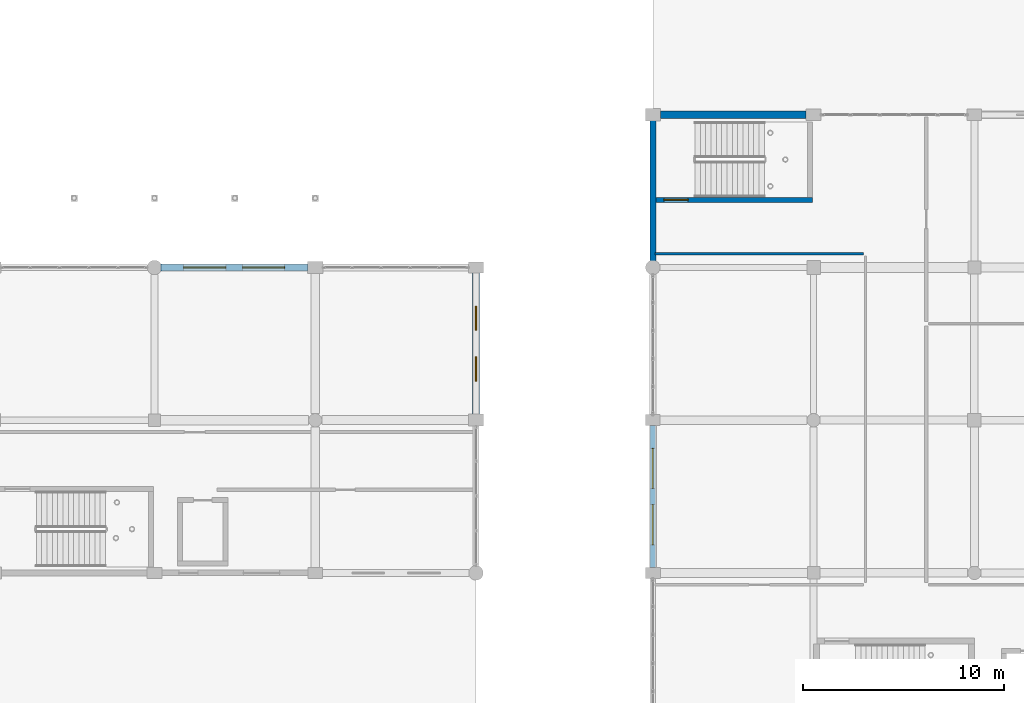
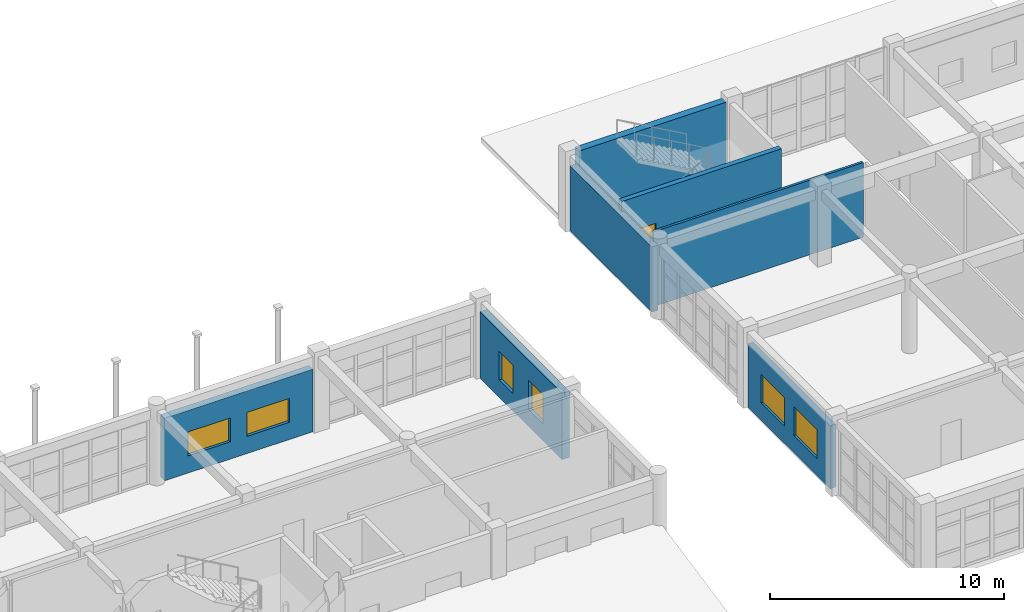
# One storey, part 168 of 195: 7 walls, 6 windows, 1 door, 7 openings.
"""IFC4 building model written with IfcOpenShell, lengths in metres."""

from ifc_helpers import new_model, si_unit, direction, frame, frame_2d, origin, place, context, subcontext, project, spatial, rectangle, extrude, material, layer, layer_set, type_object, element, fill, save


model = new_model("IFC4")

# Units and contexts
model_context = context("Model", 3, precision=1e-05, world=origin(), true_north=direction((0.0, 1.0)))
body_context = subcontext(model_context, "Body", "Model", "MODEL_VIEW")
ifc_project = project(units=[si_unit("LENGTHUNIT", "METRE"), si_unit("AREAUNIT", "SQUARE_METRE"), si_unit("VOLUMEUNIT", "CUBIC_METRE"), si_unit("PLANEANGLEUNIT", "RADIAN"), si_unit("MASSUNIT", "GRAM", prefix="KILO")], contexts=[model_context])

# Site, building, storey
site_placement = place(None, origin())
site = spatial("IfcSite", under=ifc_project, at=site_placement, CompositionType="ELEMENT")
building_placement = place(site_placement, origin())
building = spatial("IfcBuilding", under=site, at=building_placement, Name="Kharva Crest Polytechnic", CompositionType="ELEMENT")
storey_placement = place(building_placement, frame((0.0, 0.0, 9.0)))
storey = spatial("IfcBuildingStorey", under=building, at=storey_placement, Name="L02", CompositionType="ELEMENT", Elevation=9.0)

# Wall, openings, windows
ifc_material_1 = material(Name="Kiln brick masonry", Category="masonry")
ifc_layer_1 = layer(ifc_material_1, 0.27490234375, Name="Kiln brick masonry")
ifc_layer_set_1 = layer_set([ifc_layer_1], Name="Kiln brick masonry")
wall_type_1 = type_object("IfcWallType", Name="WL-EXT-BRK-275", PredefinedType="SOLIDWALL", material=ifc_layer_set_1)
wall_1_placement = place(storey_placement, frame((120.800048828125, 14.929931640625, 0.0), z_axis=(0.0, 0.0, 1.0), x_axis=(0.0, -1.0, 0.0)))
wall_1 = element("IfcWall", 1, at=wall_1_placement, inside=storey, type_object=wall_type_1, Name="L02 Exterior Brick Wall 240", PredefinedType="SOLIDWALL", context=body_context, shape_type="SweptSolid", body=[
    extrude(rectangle(XDim=7.059814453125, YDim=0.27490234375, at=frame_2d((3.52978515625, 0.0))), origin(), (0.0, 0.0, 1.0), 3.300048828125),
])
opening_1_placement = place(wall_1_placement, frame((1.126953125, 0.0, 0.89990234375)))
opening_1 = element("IfcOpeningElement", 2, at=opening_1_placement, cuts=wall_1, Name="Opening W12", PredefinedType="OPENING", context=body_context, shape_type="SweptSolid", body=[
    extrude(rectangle(XDim=2.0, YDim=1.5, at=frame_2d((1.0, 0.75))), frame((0.0, 0.1474609375, 0.0), z_axis=(0.0, -1.0, 0.0), x_axis=(1.0, 0.0, 0.0)), (0.0, 0.0, 1.0), 0.294921875),
])
opening_2_placement = place(wall_1_placement, frame((3.93310546875, 0.0, 0.89990234375)))
opening_2 = element("IfcOpeningElement", 3, at=opening_2_placement, cuts=wall_1, Name="Opening W12", PredefinedType="OPENING", context=body_context, shape_type="SweptSolid", body=[
    extrude(rectangle(XDim=2.0, YDim=1.5, at=frame_2d((1.0, 0.75))), frame((0.0, 0.1474609375, 0.0), z_axis=(0.0, -1.0, 0.0), x_axis=(1.0, 0.0, 0.0)), (0.0, 0.0, 1.0), 0.294921875),
])
ifc_material_2 = material(Name="Anodised aluminium", Category="aluminium")
window_type_1 = type_object("IfcWindowType", Name="WIN-ALU-2000X1500", PartitioningType="SINGLE_PANEL", PredefinedType="WINDOW", material=ifc_material_2)
window_1_placement = place(opening_1_placement, origin())
window_1 = element("IfcWindow", 4, at=window_1_placement, inside=storey, type_object=window_type_1, Name="L02 Exterior Window 321", OverallHeight=1.5, OverallWidth=2.0, PartitioningType="SINGLE_PANEL", PredefinedType="WINDOW", context=body_context, shape_type="SweptSolid", body=[
    extrude(rectangle(XDim=2.0, YDim=1.5, at=frame_2d((1.0, 0.75))), frame((0.0, 0.030029296875, 0.0), z_axis=(0.0, -1.0, 0.0), x_axis=(1.0, 0.0, 0.0)), (0.0, 0.0, 1.0), 0.06005859375),
])
fill(opening_1, window_1)
window_2_placement = place(opening_2_placement, origin())
window_2 = element("IfcWindow", 5, at=window_2_placement, inside=storey, type_object=window_type_1, Name="L02 Exterior Window 322", OverallHeight=1.5, OverallWidth=2.0, PartitioningType="SINGLE_PANEL", PredefinedType="WINDOW", context=body_context, shape_type="SweptSolid", body=[
    extrude(rectangle(XDim=2.0, YDim=1.5, at=frame_2d((1.0, 0.75))), frame((0.0, 0.030029296875, 0.0), z_axis=(0.0, -1.0, 0.0), x_axis=(1.0, 0.0, 0.0)), (0.0, 0.0, 1.0), 0.06005859375),
])
fill(opening_2, window_2)

# Wall
ifc_layer_2 = layer(ifc_material_1, 0.304931640625, Name="Kiln brick masonry")
ifc_layer_set_2 = layer_set([ifc_layer_2], Name="Kiln brick masonry")
wall_type_2 = type_object("IfcWallType", Name="WL-EXT-BRK-305", PredefinedType="SOLIDWALL", material=ifc_layer_set_2)
wall_2_placement = place(storey_placement, frame((120.800048828125, 30.10498046875, 0.0), z_axis=(0.0, 0.0, 1.0), x_axis=(0.0, -1.0, 0.0)))
element("IfcWall", 6, at=wall_2_placement, inside=storey, type_object=wall_type_2, Name="L02 Exterior Brick Wall 239", PredefinedType="SOLIDWALL", context=body_context, shape_type="SweptSolid", body=[
    extrude(rectangle(XDim=7.002685546875, YDim=0.304931640625, at=frame_2d((3.50146484375, 0.0))), origin(), (0.0, 0.0, 1.0), 3.39990234375),
])

# Wall, openings, windows
ifc_layer_3 = layer(ifc_material_1, 0.3349609375, Name="Kiln brick masonry")
ifc_layer_set_3 = layer_set([ifc_layer_3], Name="Kiln brick masonry")
wall_type_3 = type_object("IfcWallType", Name="WL-EXT-BRK-335", PredefinedType="SOLIDWALL", material=ifc_layer_set_3)
wall_3_placement = place(storey_placement, frame((103.6298828125, 22.800048828125, 0.0), z_axis=(0.0, 0.0, 1.0), x_axis=(-1.0, 0.0, 0.0)))
wall_3 = element("IfcWall", 7, at=wall_3_placement, inside=storey, type_object=wall_type_3, Name="L02 Exterior Brick Wall 229", PredefinedType="SOLIDWALL", context=body_context, shape_type="SweptSolid", body=[
    extrude(rectangle(XDim=7.327392578125, YDim=0.3349609375, at=frame_2d((3.66357421875, 0.0))), origin(), (0.0, 0.0, 1.0), 3.27001953125),
])
opening_3_placement = place(wall_3_placement, frame((1.14892578125, 0.0, 0.89990234375)))
opening_3 = element("IfcOpeningElement", 8, at=opening_3_placement, cuts=wall_3, Name="Opening W18", PredefinedType="OPENING", context=body_context, shape_type="SweptSolid", body=[
    extrude(rectangle(XDim=2.10009765625, YDim=1.25, at=frame_2d((1.050048828125, 0.625))), frame((0.0, 0.177490234375, 0.0), z_axis=(0.0, -1.0, 0.0), x_axis=(1.0, 0.0, 0.0)), (0.0, 0.0, 1.0), 0.35498046875),
])
opening_4_placement = place(wall_3_placement, frame((4.077880859375, 0.0, 0.89990234375)))
opening_4 = element("IfcOpeningElement", 9, at=opening_4_placement, cuts=wall_3, Name="Opening W18", PredefinedType="OPENING", context=body_context, shape_type="SweptSolid", body=[
    extrude(rectangle(XDim=2.10009765625, YDim=1.25, at=frame_2d((1.050048828125, 0.625))), frame((0.0, 0.177490234375, 0.0), z_axis=(0.0, -1.0, 0.0), x_axis=(1.0, 0.0, 0.0)), (0.0, 0.0, 1.0), 0.35498046875),
])
window_type_2 = type_object("IfcWindowType", Name="WIN-ALU-2100X1250", PartitioningType="SINGLE_PANEL", PredefinedType="WINDOW", material=ifc_material_2)
window_3_placement = place(opening_3_placement, origin())
window_3 = element("IfcWindow", 10, at=window_3_placement, inside=storey, type_object=window_type_2, Name="L02 Exterior Window 303", OverallHeight=1.25, OverallWidth=2.10009765625, PartitioningType="SINGLE_PANEL", PredefinedType="WINDOW", context=body_context, shape_type="SweptSolid", body=[
    extrude(rectangle(XDim=2.10009765625, YDim=1.25, at=frame_2d((1.050048828125, 0.625))), frame((0.0, 0.030029296875, 0.0), z_axis=(0.0, -1.0, 0.0), x_axis=(1.0, 0.0, 0.0)), (0.0, 0.0, 1.0), 0.06005859375),
])
fill(opening_3, window_3)
window_4_placement = place(opening_4_placement, origin())
window_4 = element("IfcWindow", 11, at=window_4_placement, inside=storey, type_object=window_type_2, Name="L02 Exterior Window 304", OverallHeight=1.25, OverallWidth=2.10009765625, PartitioningType="SINGLE_PANEL", PredefinedType="WINDOW", context=body_context, shape_type="SweptSolid", body=[
    extrude(rectangle(XDim=2.10009765625, YDim=1.25, at=frame_2d((1.050048828125, 0.625))), frame((0.0, 0.030029296875, 0.0), z_axis=(0.0, -1.0, 0.0), x_axis=(1.0, 0.0, 0.0)), (0.0, 0.0, 1.0), 0.06005859375),
])
fill(opening_4, window_4)

# Wall
ifc_layer_4 = layer(ifc_material_1, 0.35009765625, Name="Kiln brick masonry")
ifc_layer_set_4 = layer_set([ifc_layer_4], Name="Kiln brick masonry")
wall_type_4 = type_object("IfcWallType", Name="WL-EXT-BRK-350", PredefinedType="SOLIDWALL", material=ifc_layer_set_4)
wall_4_placement = place(storey_placement, frame((128.429931640625, 30.39990234375, 0.0), z_axis=(0.0, 0.0, 1.0), x_axis=(-1.0, 0.0, 0.0)))
element("IfcWall", 12, at=wall_4_placement, inside=storey, type_object=wall_type_4, Name="L02 Exterior Brick Wall 248", PredefinedType="SOLIDWALL", context=body_context, shape_type="SweptSolid", body=[
    extrude(rectangle(XDim=7.260009765625, YDim=0.35009765625, at=frame_2d((3.6298828125, 0.0))), origin(), (0.0, 0.0, 1.0), 3.919921875),
])

# Wall, openings, windows
ifc_layer_5 = layer(ifc_material_1, 0.364990234375, Name="Kiln brick masonry")
ifc_layer_set_5 = layer_set([ifc_layer_5], Name="Kiln brick masonry")
wall_type_5 = type_object("IfcWallType", Name="WL-EXT-BRK-365", PredefinedType="SOLIDWALL", material=ifc_layer_set_5)
wall_5_placement = place(storey_placement, frame((112.0, 15.4951171875, 0.0), z_axis=(0.0, 0.0, 1.0), x_axis=(0.0, 1.0, 0.0)))
wall_5 = element("IfcWall", 13, at=wall_5_placement, inside=storey, type_object=wall_type_5, Name="L02 Exterior Brick Wall 228", PredefinedType="SOLIDWALL", context=body_context, shape_type="SweptSolid", body=[
    extrude(rectangle(XDim=7.034912109375, YDim=0.364990234375, at=frame_2d((3.517578125, 0.0))), origin(), (0.0, 0.0, 1.0), 3.4599609375),
])
opening_5_placement = place(wall_5_placement, frame((1.652099609375, 0.0, 0.89990234375)))
opening_5 = element("IfcOpeningElement", 14, at=opening_5_placement, cuts=wall_5, Name="Opening W16", PredefinedType="OPENING", context=body_context, shape_type="SweptSolid", body=[
    extrude(rectangle(XDim=1.199951171875, YDim=1.5, at=frame_2d((0.60009765625, 0.75))), frame((0.0, 0.1923828125, 0.0), z_axis=(0.0, -1.0, 0.0), x_axis=(1.0, 0.0, 0.0)), (0.0, 0.0, 1.0), 0.385009765625),
])
opening_6_placement = place(wall_5_placement, frame((4.18310546875, 0.0, 0.89990234375)))
opening_6 = element("IfcOpeningElement", 15, at=opening_6_placement, cuts=wall_5, Name="Opening W16", PredefinedType="OPENING", context=body_context, shape_type="SweptSolid", body=[
    extrude(rectangle(XDim=1.199951171875, YDim=1.5, at=frame_2d((0.60009765625, 0.75))), frame((0.0, 0.1923828125, 0.0), z_axis=(0.0, -1.0, 0.0), x_axis=(1.0, 0.0, 0.0)), (0.0, 0.0, 1.0), 0.385009765625),
])
window_type_3 = type_object("IfcWindowType", Name="WIN-ALU-1200X1500", PartitioningType="SINGLE_PANEL", PredefinedType="WINDOW", material=ifc_material_2)
window_5_placement = place(opening_5_placement, origin())
window_5 = element("IfcWindow", 16, at=window_5_placement, inside=storey, type_object=window_type_3, Name="L02 Exterior Window 301", OverallHeight=1.5, OverallWidth=1.199951171875, PartitioningType="SINGLE_PANEL", PredefinedType="WINDOW", context=body_context, shape_type="SweptSolid", body=[
    extrude(rectangle(XDim=1.199951171875, YDim=1.5, at=frame_2d((0.60009765625, 0.75))), frame((0.0, 0.030029296875, 0.0), z_axis=(0.0, -1.0, 0.0), x_axis=(1.0, 0.0, 0.0)), (0.0, 0.0, 1.0), 0.06005859375),
])
fill(opening_5, window_5)
window_6_placement = place(opening_6_placement, origin())
window_6 = element("IfcWindow", 17, at=window_6_placement, inside=storey, type_object=window_type_3, Name="L02 Exterior Window 302", OverallHeight=1.5, OverallWidth=1.199951171875, PartitioningType="SINGLE_PANEL", PredefinedType="WINDOW", context=body_context, shape_type="SweptSolid", body=[
    extrude(rectangle(XDim=1.199951171875, YDim=1.5, at=frame_2d((0.60009765625, 0.75))), frame((0.0, 0.030029296875, 0.0), z_axis=(0.0, -1.0, 0.0), x_axis=(1.0, 0.0, 0.0)), (0.0, 0.0, 1.0), 0.06005859375),
])
fill(opening_6, window_6)

# Wall
ifc_layer_6 = layer(ifc_material_1, 0.1201171875, Name="Kiln brick masonry")
ifc_layer_set_6 = layer_set([ifc_layer_6], Name="Kiln brick masonry")
wall_type_6 = type_object("IfcWallType", Name="WL-PART-120", PredefinedType="PARTITIONING", material=ifc_layer_set_6)
wall_6_placement = place(storey_placement, frame((120.909912109375, 23.489990234375, 0.0), z_axis=(0.0, 0.0, 1.0), x_axis=(1.0, 0.0, 0.0)))
element("IfcWall", 18, at=wall_6_placement, inside=storey, type_object=wall_type_6, Name="L02 Interior Partition 236", PredefinedType="PARTITIONING", context=body_context, shape_type="SweptSolid", body=[
    extrude(rectangle(XDim=10.3701171875, YDim=0.1201171875, at=frame_2d((5.18505859375, 0.0))), origin(), (0.0, 0.0, 1.0), 3.89990234375),
])

# Wall, opening, door
ifc_material_3 = material(Name="Concrete C40/50", Category="concrete")
ifc_layer_7 = layer(ifc_material_3, 0.25, Name="Concrete C40/50")
ifc_layer_set_7 = layer_set([ifc_layer_7], Name="Concrete C40/50")
wall_type_7 = type_object("IfcWallType", Name="WL-SHEAR-SW1-250", PredefinedType="SHEAR", material=ifc_layer_set_7)
wall_7_placement = place(storey_placement, frame((120.85009765625, 26.1650390625, 0.0), z_axis=(0.0, 0.0, 1.0), x_axis=(1.0, 0.0, 0.0)))
wall_7 = element("IfcWall", 19, at=wall_7_placement, inside=storey, type_object=wall_type_7, Name="L02 South-East Escarpment Secondary Stair C7 South Shear Wall", PredefinedType="SHEAR", context=body_context, shape_type="SweptSolid", body=[
    extrude(rectangle(XDim=7.89990234375, YDim=0.25, at=frame_2d((3.949951171875, 0.0))), origin(), (0.0, 0.0, 1.0), 3.919921875),
])
opening_7_placement = place(wall_7_placement, frame((0.5, 0.0, 0.0)))
opening_7 = element("IfcOpeningElement", 20, at=opening_7_placement, cuts=wall_7, Name="Opening FD1", PredefinedType="OPENING", context=body_context, shape_type="SweptSolid", body=[
    extrude(rectangle(XDim=1.199951171875, YDim=2.199951171875, at=frame_2d((0.60009765625, 1.10009765625))), frame((0.0, 0.135009765625, 0.0), z_axis=(0.0, -1.0, 0.0), x_axis=(1.0, 0.0, 0.0)), (0.0, 0.0, 1.0), 0.27001953125),
])
ifc_material_4 = material(Name="Teak timber", Category="wood")
door_type = type_object("IfcDoorType", Name="DR-STAIR-1200X2200", OperationType="NOTDEFINED", PredefinedType="DOOR", material=ifc_material_4)
door_placement = place(opening_7_placement, origin())
door = element("IfcDoor", 21, at=door_placement, inside=storey, type_object=door_type, Name="L02 ST-07 Stair Door", OperationType="SINGLE_SWING_RIGHT", OverallHeight=2.199951171875, OverallWidth=1.199951171875, PredefinedType="DOOR", context=body_context, shape_type="SweptSolid", body=[
    extrude(rectangle(XDim=1.199951171875, YDim=2.199951171875, at=frame_2d((0.60009765625, 1.10009765625))), frame((0.0, 0.02490234375, 0.0), z_axis=(0.0, -1.0, 0.0), x_axis=(1.0, 0.0, 0.0)), (0.0, 0.0, 1.0), 0.050048828125),
])
fill(opening_7, door)

save(model, "model.ifc")
